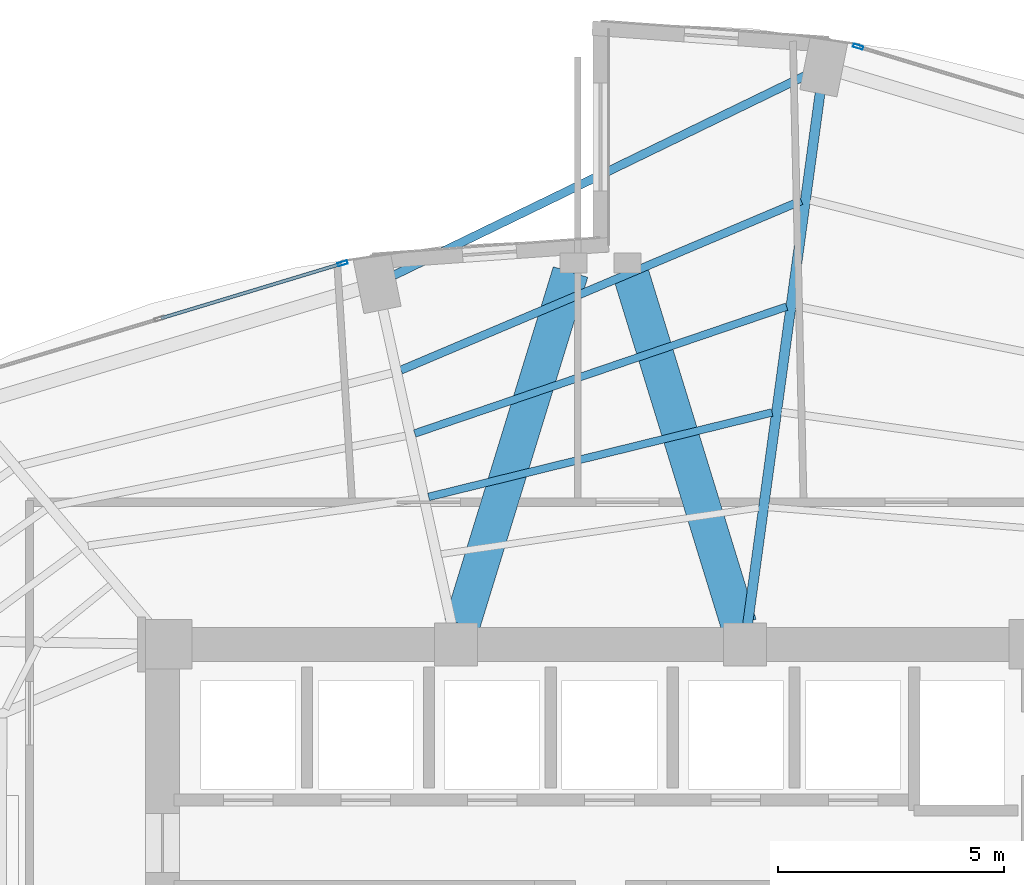
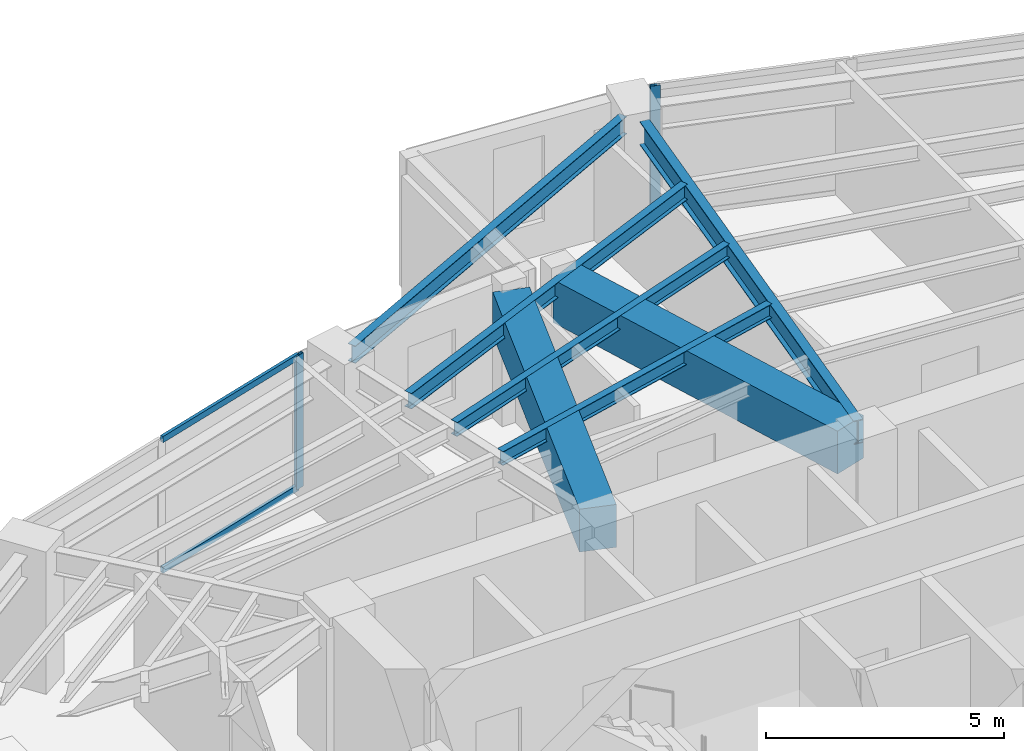
# One storey, part 15 of 23: 7 beams, 4 members, 2 elements without a shape of their own.
"""IFC4 building model written with IfcOpenShell, lengths in metres."""

from ifc_helpers import new_model, si_unit, direction, frame, origin, origin_2d, place, context, subcontext, project, spatial, rectangle, hollow_rectangle, i_section, extrude, material, layer, layer_set, material_profile, profile_set, type_object, element, aggregate, save


model = new_model("IFC4")

# Units and contexts
model_context = context("Model", 3, precision=1e-05, world=origin(), true_north=direction((0.0, 1.0)))
body_context = subcontext(model_context, "Body", "Model", "MODEL_VIEW")
ifc_project = project(units=[si_unit("LENGTHUNIT", "METRE"), si_unit("AREAUNIT", "SQUARE_METRE"), si_unit("VOLUMEUNIT", "CUBIC_METRE"), si_unit("PLANEANGLEUNIT", "RADIAN"), si_unit("MASSUNIT", "GRAM", prefix="KILO")], contexts=[model_context])

# Site, building, storey
site_placement = place(None, origin())
site = spatial("IfcSite", under=ifc_project, at=site_placement, CompositionType="ELEMENT")
building_placement = place(site_placement, origin())
building = spatial("IfcBuilding", under=site, at=building_placement, Name="Lazwardi Medical Tower", CompositionType="ELEMENT")
storey_placement = place(building_placement, frame((0.0, 0.0, 107.280029296875)))
storey = spatial("IfcBuildingStorey", under=building, at=storey_placement, Name="L27", CompositionType="ELEMENT", Elevation=107.280029296875)

# Beams
ifc_material_1 = material(Name="Concrete C70/85", Category="concrete")
ifc_material_profile_1 = material_profile(ifc_material_1, rectangle(XDim=0.800048828125, YDim=1.10009765625, at=origin_2d()), Name="RC 800x1100")
ifc_profile_set_1 = profile_set([ifc_material_profile_1], Name="Concrete C70/85")
beam_type_1 = type_object("IfcBeamType", Name="BM-CB-RC1", PredefinedType="LINTEL", material=ifc_profile_set_1)
for number, where, z_axis, x_axis, name in (
    (1, (32.935302734375, 36.039794921875, 2.8779296875), (0.294073251002, 0.955782884888, 0.0), (-0.955782884888, 0.294073251002, 0.0), "Core coupling lintel CB-01 PL1 L27"),
    (2, (39.064697265625, 36.039794921875, 2.8779296875), (-0.294073251002, 0.955782884888, 0.0), (-0.955782884888, -0.294073251002, 0.0), "Core coupling lintel CB-01 PL2 L27"),
):
    element("IfcBeam", number, at=place(storey_placement, frame(where, z_axis=z_axis, x_axis=x_axis)), inside=storey, type_object=beam_type_1, Name=name, PredefinedType="LINTEL", context=body_context, shape_type="SweptSolid", body=[
        extrude(rectangle(XDim=0.800048828125, YDim=1.10009765625, at=origin_2d()), origin(), (0.0, 0.0, 1.0), 8.1708984375),
    ])
ifc_material_2 = material(Name="Steel S355", Category="steel")
ifc_material_profile_2 = material_profile(ifc_material_2, i_section(OverallWidth=0.219970703125, OverallDepth=0.60009765625, WebThickness=0.011962890625, FlangeThickness=0.01904296875, at=origin_2d()), Name="IPE 600")
ifc_profile_set_2 = profile_set([ifc_material_profile_2], Name="Steel S355")
beam_type_2 = type_object("IfcBeamType", Name="BM-RG-W1", PredefinedType="BEAM", material=ifc_profile_set_2)
beam_1_placement = place(storey_placement, frame((40.8671875, 47.82275390625, 3.1279296875), z_axis=(-0.135147148002, -0.990825538825, 0.0), x_axis=(0.990825538825, -0.135147148002, 0.0)))
element("IfcBeam", 3, at=beam_1_placement, inside=storey, type_object=beam_type_2, Name="Radial girder RG-02 R08 L27", PredefinedType="BEAM", context=body_context, shape_type="SweptSolid", body=[
    extrude(i_section(OverallWidth=0.219970703125, OverallDepth=0.60009765625, WebThickness=0.011962890625, FlangeThickness=0.01904296875, at=origin_2d()), origin(), (0.0, 0.0, 1.0), 11.875732421875),
])
ifc_material_profile_3 = material_profile(ifc_material_2, i_section(OverallWidth=0.179931640625, OverallDepth=0.39990234375, WebThickness=0.008544921875, FlangeThickness=0.013427734375, at=origin_2d()), Name="IPE 400")
ifc_profile_set_3 = profile_set([ifc_material_profile_3], Name="Steel S355")
beam_type_3 = type_object("IfcBeamType", Name="BM-SJ-01", PredefinedType="JOIST", material=ifc_profile_set_3)
beam_2_placement = place(storey_placement, frame((40.449462890625, 45.428466796875, 3.22802734375), z_axis=(-0.920947307957, -0.389687125739, 0.0), x_axis=(0.389687125739, -0.920947307957, 0.0)))
element("IfcBeam", 4, at=beam_2_placement, inside=storey, type_object=beam_type_3, Name="Secondary joist SJ-01 R1 B08 L27", PredefinedType="JOIST", context=body_context, shape_type="SweptSolid", body=[
    extrude(i_section(OverallWidth=0.179931640625, OverallDepth=0.39990234375, WebThickness=0.008544921875, FlangeThickness=0.013427734375, at=origin_2d()), origin(), (0.0, 0.0, 1.0), 9.63134765625),
])
ifc_material_profile_4 = material_profile(ifc_material_2, i_section(OverallWidth=0.169921875, OverallDepth=0.360107421875, WebThickness=0.008056640625, FlangeThickness=0.0126953125, at=origin_2d()), Name="IPE 360")
ifc_profile_set_4 = profile_set([ifc_material_profile_4], Name="Steel S355")
beam_type_4 = type_object("IfcBeamType", Name="BM-SJ-02", PredefinedType="JOIST", material=ifc_profile_set_4)
beam_3_placement = place(storey_placement, frame((40.125732421875, 43.08203125, 3.248046875), z_axis=(-0.946467154368, -0.322800132749, 0.0), x_axis=(0.322800132749, -0.946467154368, 0.0)))
element("IfcBeam", 5, at=beam_3_placement, inside=storey, type_object=beam_type_4, Name="Secondary joist SJ-02 R2 B08 L27", PredefinedType="JOIST", context=body_context, shape_type="SweptSolid", body=[
    extrude(i_section(OverallWidth=0.169921875, OverallDepth=0.360107421875, WebThickness=0.008056640625, FlangeThickness=0.0126953125, at=origin_2d()), origin(), (0.0, 0.0, 1.0), 8.70458984375),
])
beam_4_placement = place(storey_placement, frame((39.80224609375, 40.737548828125, 3.248046875), z_axis=(-0.97107737879, -0.238764998276, 0.0), x_axis=(0.238764998276, -0.97107737879, 0.0)))
element("IfcBeam", 6, at=beam_4_placement, inside=storey, type_object=beam_type_4, Name="Secondary joist SJ-02 R3 B08 L27", PredefinedType="JOIST", context=body_context, shape_type="SweptSolid", body=[
    extrude(i_section(OverallWidth=0.169921875, OverallDepth=0.360107421875, WebThickness=0.008056640625, FlangeThickness=0.0126953125, at=origin_2d()), origin(), (0.0, 0.0, 1.0), 7.83447265625),
])
ifc_material_profile_5 = material_profile(ifc_material_2, i_section(OverallWidth=0.18994140625, OverallDepth=0.449951171875, WebThickness=0.009521484375, FlangeThickness=0.0146484375, at=origin_2d()), Name="IPE 450")
ifc_profile_set_5 = profile_set([ifc_material_profile_5], Name="Steel S355")
beam_type_5 = type_object("IfcBeamType", Name="BM-SP-01", PredefinedType="SPANDREL", material=ifc_profile_set_5)
beam_5_placement = place(storey_placement, frame((40.57666015625, 48.218505859375, 3.202880859375), z_axis=(-0.899653336227, -0.436604941125, 0.0), x_axis=(0.436604941125, -0.899653336227, 0.0)))
element("IfcBeam", 7, at=beam_5_placement, inside=storey, type_object=beam_type_5, Name="Spandrel beam SP-01 B08 L27", PredefinedType="SPANDREL", context=body_context, shape_type="SweptSolid", body=[
    extrude(i_section(OverallWidth=0.18994140625, OverallDepth=0.449951171875, WebThickness=0.009521484375, FlangeThickness=0.0146484375, at=origin_2d()), origin(), (0.0, 0.0, 1.0), 10.17431640625),
])

# Curtain wall, member
ifc_material_3 = material(Name="Anodised bronze aluminium and solar control glazing", Category="aluminium")
ifc_layer = layer(ifc_material_3, 0.195068359375)
ifc_layer_set = layer_set([ifc_layer], Name="Anodised bronze aluminium and solar control glazing")
curtain_wall_type = type_object("IfcCurtainWallType", Name="CW-SYS-03", PredefinedType="NOTDEFINED", material=ifc_layer_set)
curtain_wall_1_placement = place(storey_placement, origin())
curtain_wall_1 = element("IfcCurtainWall", 8, at=curtain_wall_1_placement, inside=storey, type_object=curtain_wall_type, Name="L27 Unitised bronze curtain wall CW-03", PredefinedType="NOTDEFINED")
ifc_material_4 = material(Name="Anodised bronze aluminium", Category="aluminium")
ifc_material_profile_6 = material_profile(ifc_material_4, hollow_rectangle(XDim=0.074951171875, YDim=0.219970703125, WallThickness=0.00390625, at=origin_2d()), Name="ALU-MULLION 220x75x4")
ifc_profile_set_6 = profile_set([ifc_material_profile_6], Name="Anodised bronze aluminium")
member_type_1 = type_object("IfcMemberType", Name="CW-MUL-01", PredefinedType="MULLION", material=ifc_profile_set_6)
member_1_placement = place(storey_placement, frame((41.710205078125, 48.840087890625, 0.0), z_axis=(0.0, 0.0, 1.0), x_axis=(-0.28937381157, -0.957216170558, 0.0)))
member_1 = element("IfcMember", 9, at=member_1_placement, type_object=member_type_1, Name="CW-03 mullion 3", PredefinedType="MULLION", context=body_context, shape_type="SweptSolid", body=[
    extrude(hollow_rectangle(XDim=0.074951171875, YDim=0.219970703125, WallThickness=0.00390625, at=origin_2d()), origin(), (0.0, 0.0, 1.0), 3.427978515625),
])
aggregate(curtain_wall_1, [member_1])

# Curtain wall, members
curtain_wall_2_placement = place(storey_placement, origin())
curtain_wall_2 = element("IfcCurtainWall", 10, at=curtain_wall_2_placement, inside=storey, type_object=curtain_wall_type, Name="L27 Unitised bronze curtain wall CW-03", PredefinedType="NOTDEFINED")
member_2_placement = place(storey_placement, frame((30.289794921875, 44.0400390625, 0.0), z_axis=(0.0, 0.0, 1.0), x_axis=(0.28937381157, -0.957216170558, 0.0)))
member_2 = element("IfcMember", 11, at=member_2_placement, type_object=member_type_1, Name="CW-03 mullion 1", PredefinedType="MULLION", context=body_context, shape_type="SweptSolid", body=[
    extrude(hollow_rectangle(XDim=0.074951171875, YDim=0.219970703125, WallThickness=0.00390625, at=origin_2d()), origin(), (0.0, 0.0, 1.0), 3.427978515625),
])
ifc_material_profile_7 = material_profile(ifc_material_4, hollow_rectangle(XDim=0.074951171875, YDim=0.159912109375, WallThickness=0.00390625, at=origin_2d()), Name="ALU-TRANSOM 160x75x4")
ifc_profile_set_7 = profile_set([ifc_material_profile_7], Name="Anodised bronze aluminium")
member_type_2 = type_object("IfcMemberType", Name="CW-TRN-01", PredefinedType="USERDEFINED", material=ifc_profile_set_7)
member_3_placement = place(storey_placement, frame((30.25390625, 44.029296875, 0.037353515625), z_axis=(-0.957220865985, -0.289358279168, 0.0), x_axis=(0.289358279168, -0.957220865985, 0.0)))
member_3 = element("IfcMember", 12, at=member_3_placement, type_object=member_type_2, Name="CW-03 transom 1.1", ObjectType="TRANSOM", PredefinedType="USERDEFINED", context=body_context, shape_type="SweptSolid", body=[
    extrude(hollow_rectangle(XDim=0.074951171875, YDim=0.159912109375, WallThickness=0.00390625, at=origin_2d()), origin(), (0.0, 0.0, 1.0), 4.16552734375),
])
member_4_placement = place(storey_placement, frame((30.25390625, 44.029296875, 3.390380859375), z_axis=(-0.957220865985, -0.289358279168, 0.0), x_axis=(0.289358279168, -0.957220865985, 0.0)))
member_4 = element("IfcMember", 13, at=member_4_placement, type_object=member_type_2, Name="CW-03 transom 1.2", ObjectType="TRANSOM", PredefinedType="USERDEFINED", context=body_context, shape_type="SweptSolid", body=[
    extrude(hollow_rectangle(XDim=0.074951171875, YDim=0.159912109375, WallThickness=0.00390625, at=origin_2d()), origin(), (0.0, 0.0, 1.0), 4.16552734375),
])
aggregate(curtain_wall_2, [member_2, member_3, member_4])

save(model, "model.ifc")
